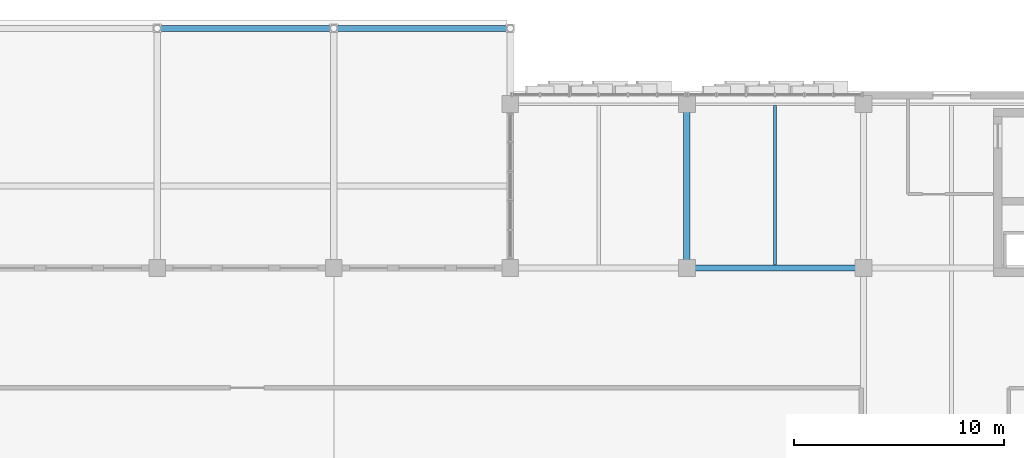
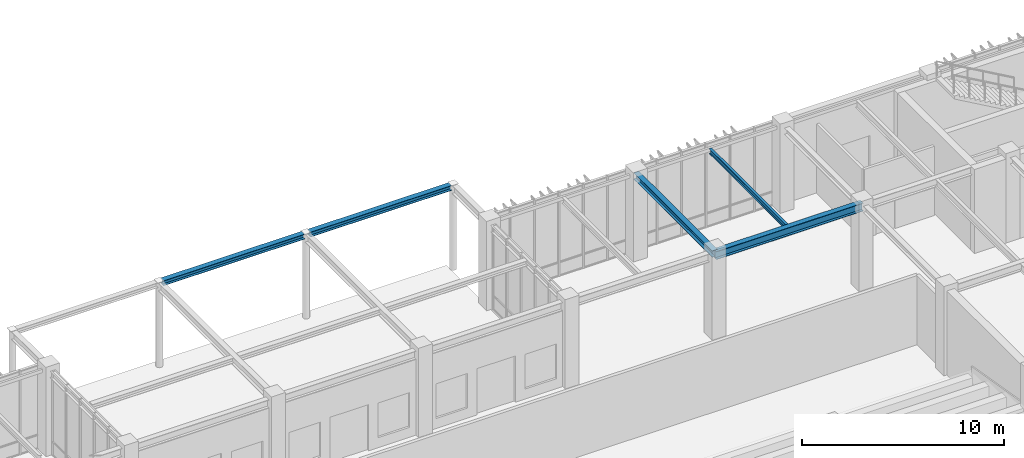
# One storey, part 48 of 122: 5 beams.
"""IFC4 building model written with IfcOpenShell, lengths in metres."""

from ifc_helpers import new_model, si_unit, direction, frame, origin, origin_2d, place, context, subcontext, project, spatial, i_section, extrude, material, material_profile, profile_set, type_object, element, save


model = new_model("IFC4")

# Units and contexts
model_context = context("Model", 3, precision=1e-05, world=origin(), true_north=direction((0.0, 1.0)))
body_context = subcontext(model_context, "Body", "Model", "MODEL_VIEW")
ifc_project = project(units=[si_unit("LENGTHUNIT", "METRE"), si_unit("AREAUNIT", "SQUARE_METRE"), si_unit("VOLUMEUNIT", "CUBIC_METRE"), si_unit("PLANEANGLEUNIT", "RADIAN"), si_unit("MASSUNIT", "GRAM", prefix="KILO")], contexts=[model_context])

# Site, building, storey
site_placement = place(None, origin())
site = spatial("IfcSite", under=ifc_project, at=site_placement, CompositionType="ELEMENT")
building_placement = place(site_placement, origin())
building = spatial("IfcBuilding", under=site, at=building_placement, Name="Zayran Congress Hotel", CompositionType="ELEMENT")
storey_placement = place(building_placement, origin())
storey = spatial("IfcBuildingStorey", under=building, at=storey_placement, Name="L00", CompositionType="ELEMENT", Elevation=0.0)

# Beams
ifc_material = material(Name="Steel S355", Category="steel")
ifc_material_profile_1 = material_profile(ifc_material, i_section(OverallWidth=0.300048828125, OverallDepth=0.489990234375, WebThickness=0.011962890625, FlangeThickness=0.02294921875, at=origin_2d()), Name="HEA 500")
ifc_profile_set_1 = profile_set([ifc_material_profile_1], Name="Steel S355")
beam_type_1 = type_object("IfcBeamType", Name="TP-BM-05", PredefinedType="BEAM", material=ifc_profile_set_1)
beam_1_placement = place(storey_placement, frame((67.199951171875, 109.60009765625, 4.8349609375), z_axis=(1.0, 0.0, 0.0), x_axis=(0.0, 1.0, 0.0)))
element("IfcBeam", 1, at=beam_1_placement, inside=storey, type_object=beam_type_1, Name="BM-V1-L00-0432", PredefinedType="BEAM", context=body_context, shape_type="SweptSolid", body=[
    extrude(i_section(OverallWidth=0.300048828125, OverallDepth=0.489990234375, WebThickness=0.011962890625, FlangeThickness=0.02294921875, at=origin_2d()), origin(), (0.0, 0.0, 1.0), 8.400146484375),
])
ifc_material_profile_2 = material_profile(ifc_material, i_section(OverallWidth=0.300048828125, OverallDepth=0.389892578125, WebThickness=0.010986328125, FlangeThickness=0.01904296875, at=origin_2d()), Name="HEA 400")
ifc_profile_set_2 = profile_set([ifc_material_profile_2], Name="Steel S355")
beam_type_2 = type_object("IfcBeamType", Name="TP-BM-06", PredefinedType="BEAM", material=ifc_profile_set_2)
beam_2_placement = place(storey_placement, frame((67.199951171875, 109.60009765625, 4.885009765625), z_axis=(0.0, 1.0, 0.0), x_axis=(-1.0, 0.0, 0.0)))
element("IfcBeam", 2, at=beam_2_placement, inside=storey, type_object=beam_type_2, Name="BM-V1-L00-0474", PredefinedType="BEAM", context=body_context, shape_type="SweptSolid", body=[
    extrude(i_section(OverallWidth=0.300048828125, OverallDepth=0.389892578125, WebThickness=0.010986328125, FlangeThickness=0.01904296875, at=origin_2d()), origin(), (0.0, 0.0, 1.0), 7.7998046875),
])
ifc_material_profile_3 = material_profile(ifc_material, i_section(OverallWidth=0.300048828125, OverallDepth=0.300048828125, WebThickness=0.010986328125, FlangeThickness=0.01904296875, at=origin_2d()), Name="HEB 300")
ifc_profile_set_3 = profile_set([ifc_material_profile_3], Name="Steel S355")
beam_type_3 = type_object("IfcBeamType", Name="TP-BM-11", PredefinedType="BEAM", material=ifc_profile_set_3)
beam_3_placement = place(storey_placement, frame((42.159912109375, 121.0, 5.010009765625), z_axis=(1.0, 0.0, 0.0), x_axis=(0.0, 1.0, 0.0)))
element("IfcBeam", 3, at=beam_3_placement, inside=storey, type_object=beam_type_3, Name="BM-NCAN-TIE-5", PredefinedType="BEAM", context=body_context, shape_type="SweptSolid", body=[
    extrude(i_section(OverallWidth=0.300048828125, OverallDepth=0.300048828125, WebThickness=0.010986328125, FlangeThickness=0.01904296875, at=origin_2d()), origin(), (0.0, 0.0, 1.0), 8.080078125),
])
beam_4_placement = place(storey_placement, frame((50.56005859375, 121.0, 5.010009765625), z_axis=(1.0, 0.0, 0.0), x_axis=(0.0, 1.0, 0.0)))
element("IfcBeam", 4, at=beam_4_placement, inside=storey, type_object=beam_type_3, Name="BM-NCAN-TIE-6", PredefinedType="BEAM", context=body_context, shape_type="SweptSolid", body=[
    extrude(i_section(OverallWidth=0.300048828125, OverallDepth=0.300048828125, WebThickness=0.010986328125, FlangeThickness=0.01904296875, at=origin_2d()), origin(), (0.0, 0.0, 1.0), 8.079833984375),
])
ifc_material_profile_4 = material_profile(ifc_material, i_section(OverallWidth=0.14990234375, OverallDepth=0.300048828125, WebThickness=0.007080078125, FlangeThickness=0.0107421875, at=origin_2d()), Name="IPE 300")
ifc_profile_set_4 = profile_set([ifc_material_profile_4], Name="Steel S355")
beam_type_4 = type_object("IfcBeamType", Name="TP-JS-05", PredefinedType="JOIST", material=ifc_profile_set_4)
beam_5_placement = place(storey_placement, frame((71.39990234375, 109.75, 4.929931640625), z_axis=(0.0, 1.0, 0.0), x_axis=(-1.0, 0.0, 0.0)))
element("IfcBeam", 5, at=beam_5_placement, inside=storey, type_object=beam_type_4, Name="JST-V1-L00-0506", PredefinedType="JOIST", context=body_context, shape_type="SweptSolid", body=[
    extrude(i_section(OverallWidth=0.14990234375, OverallDepth=0.300048828125, WebThickness=0.007080078125, FlangeThickness=0.0107421875, at=origin_2d()), origin(), (0.0, 0.0, 1.0), 7.590087890625),
])

save(model, "model.ifc")
